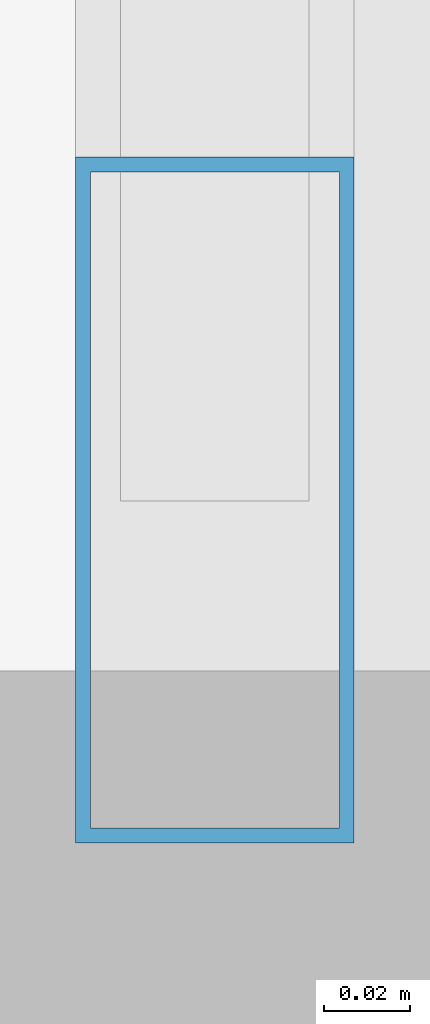
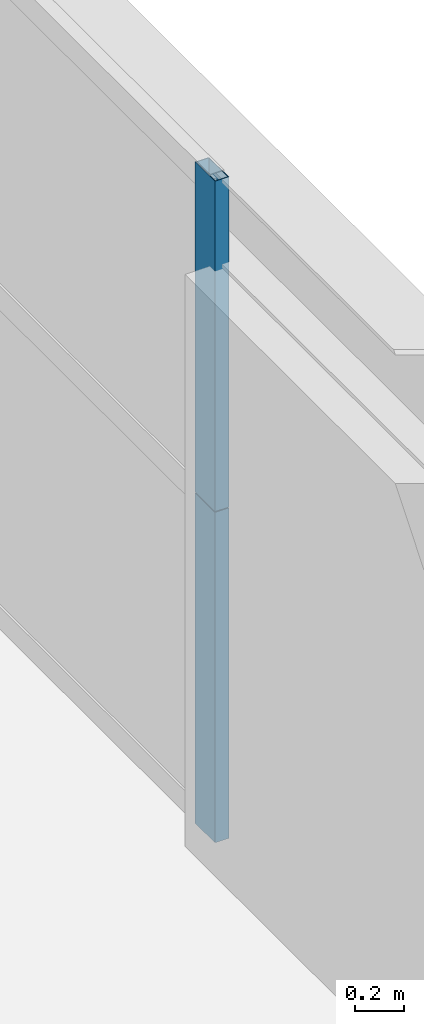
# One storey, part 16 of 35: 2 members, 1 element without a shape of its own.
"""IFC4 building model written with IfcOpenShell, lengths in metres."""

from ifc_helpers import new_model, si_unit, direction, frame, origin, origin_2d, place, context, subcontext, project, spatial, hollow_rectangle, extrude, source, transform, mapped, material, layer, layer_set, material_profile, profile_set, type_object, element, aggregate, save


model = new_model("IFC4")

# Units and contexts
model_context = context("Model", 3, precision=1e-05, world=origin(), true_north=direction((0.0, 1.0)))
body_context = subcontext(model_context, "Body", "Model", "MODEL_VIEW")
ifc_project = project(units=[si_unit("LENGTHUNIT", "METRE"), si_unit("AREAUNIT", "SQUARE_METRE"), si_unit("VOLUMEUNIT", "CUBIC_METRE"), si_unit("PLANEANGLEUNIT", "RADIAN"), si_unit("MASSUNIT", "GRAM", prefix="KILO"), si_unit("THERMODYNAMICTEMPERATUREUNIT", "KELVIN"), si_unit("POWERUNIT", "WATT")], contexts=[model_context])

# Site, building, storey
site_placement = place(None, origin())
site = spatial("IfcSite", under=ifc_project, at=site_placement, CompositionType="ELEMENT")
building_placement = place(site_placement, origin())
building = spatial("IfcBuilding", under=site, at=building_placement, Name="Yuzanri Waterfront Tower", CompositionType="ELEMENT")
storey_placement = place(building_placement, frame((0.0, 0.0, 227.60009765625)))
storey = spatial("IfcBuildingStorey", under=building, at=storey_placement, Name="L60", CompositionType="ELEMENT", Elevation=227.60009765625)

# Curtain wall, members
ifc_material_1 = material(Name="Anodized Architectural Bronze", Category="metal")
ifc_layer = layer(ifc_material_1, 0.159912109375)
ifc_layer_set = layer_set([ifc_layer], Name="Anodized Architectural Bronze")
curtain_wall_type = type_object("IfcCurtainWallType", Name="Anodized Bronze Mid-Rise Residential Acoustic Unitized Curtain Wall 7200", PredefinedType="NOTDEFINED", material=ifc_layer_set)
curtain_wall_placement = place(storey_placement, origin())
curtain_wall = element("IfcCurtainWall", 1, at=curtain_wall_placement, inside=storey, type_object=curtain_wall_type, Name="L60 Curtain Wall CW-L60-EL", PredefinedType="NOTDEFINED")
ifc_material_2 = material(Name="Anodized Architectural Bronze", Category="metal")
ifc_material_profile = material_profile(ifc_material_2, hollow_rectangle(XDim=0.06494140625, YDim=0.159912109375, WallThickness=0.00341796875, at=origin_2d()), Name="CWM 65x160")
ifc_profile_set = profile_set([ifc_material_profile], Name="Anodized Architectural Bronze")
member_type = type_object("IfcMemberType", Name="Anodized Bronze Upper-Zone Curtain-Wall Mullion 65x160", PredefinedType="MULLION", material=ifc_profile_set)
shared_shape = source(origin(), body_context, "Body", "SweptSolid", [
    extrude(hollow_rectangle(XDim=0.06494140625, YDim=0.159912109375, WallThickness=0.00341796875, at=origin_2d()), origin(), (0.0, 0.0, 1.0), 1.637939453125),
])
member_1_placement = place(storey_placement, frame((57.449951171875, 12.590087890625, 0.0), z_axis=(0.0, 0.0, 1.0), x_axis=(1.0, 0.0, 0.0)))
member_1 = element("IfcMember", 2, at=member_1_placement, type_object=member_type, Name="CW-L60-EL Lower Mullion 00", PredefinedType="MULLION", context=body_context, shape_type="MappedRepresentation", body=[
    mapped(shared_shape, transform((0.0, 0.0, 0.0), scale=1.0)),
])
member_2_placement = place(storey_placement, frame((57.449951171875, 12.590087890625, 1.641845703125), z_axis=(0.0, 0.0, 1.0), x_axis=(1.0, 0.0, 0.0)))
member_2 = element("IfcMember", 3, at=member_2_placement, type_object=member_type, Name="CW-L60-EL Upper Mullion 00", PredefinedType="MULLION", context=body_context, shape_type="MappedRepresentation", body=[
    mapped(shared_shape, transform((0.0, 0.0, 0.0), scale=1.0)),
])
aggregate(curtain_wall, [member_1, member_2])

save(model, "model.ifc")
